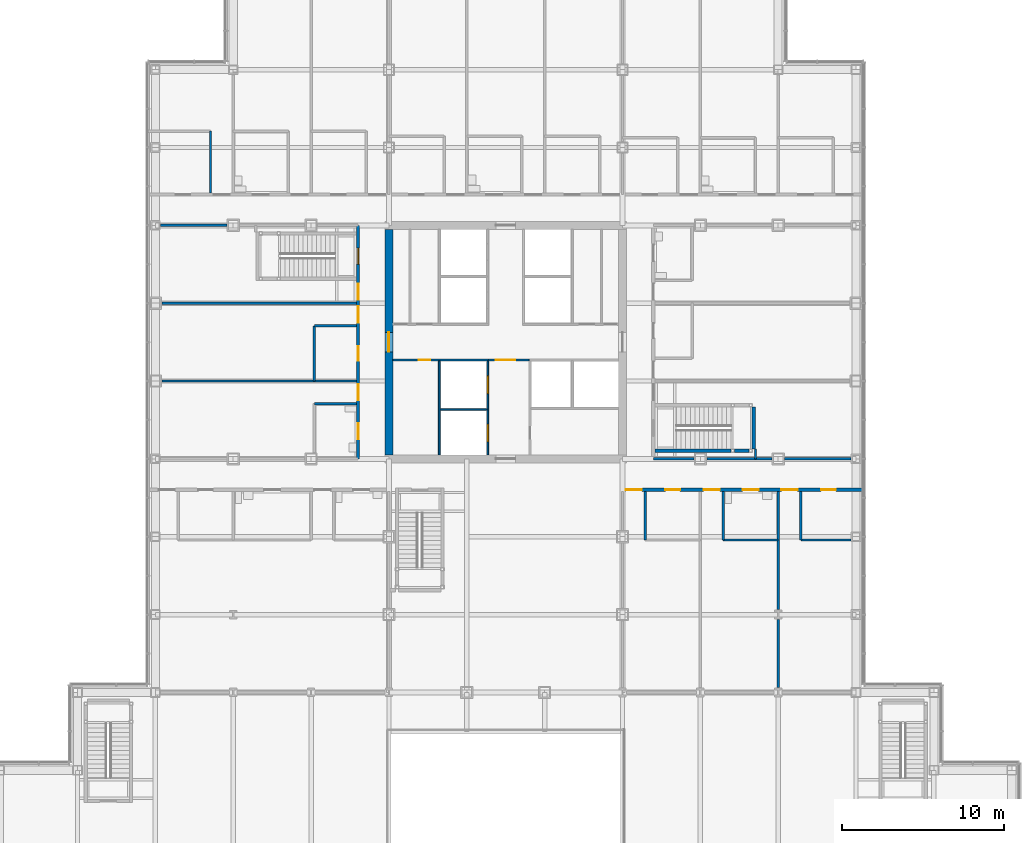
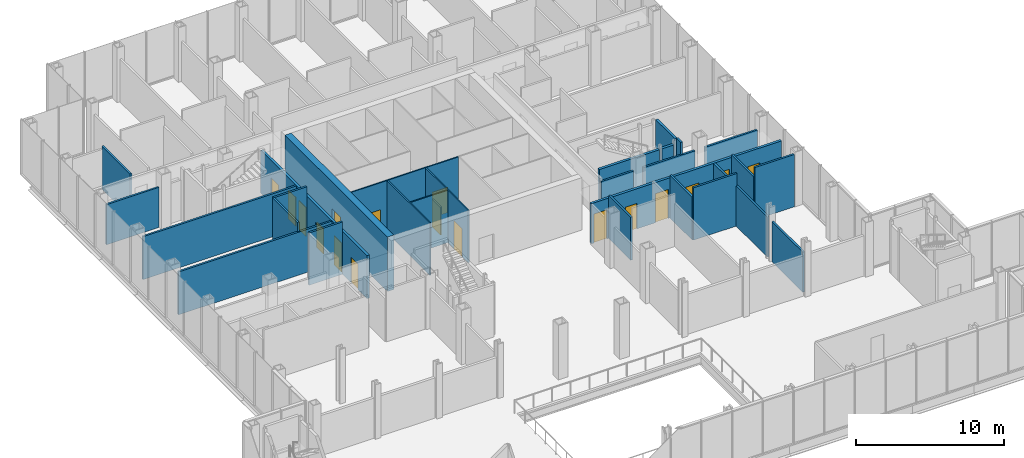
# One storey, part 21 of 26: 29 walls, 17 doors, 17 openings.
"""IFC4 building model written with IfcOpenShell, lengths in metres."""

from ifc_helpers import new_model, si_unit, direction, frame, frame_2d, origin, place, context, subcontext, project, spatial, rectangle, extrude, material, layer, layer_set, type_object, element, fill, save


model = new_model("IFC4")

# Units and contexts
model_context = context("Model", 3, precision=1e-05, world=origin(), true_north=direction((0.0, 1.0)))
body_context = subcontext(model_context, "Body", "Model", "MODEL_VIEW")
ifc_project = project(units=[si_unit("LENGTHUNIT", "METRE"), si_unit("AREAUNIT", "SQUARE_METRE"), si_unit("VOLUMEUNIT", "CUBIC_METRE"), si_unit("PLANEANGLEUNIT", "RADIAN"), si_unit("MASSUNIT", "GRAM", prefix="KILO")], contexts=[model_context])

# Site, building, storey
site_placement = place(None, origin())
site = spatial("IfcSite", under=ifc_project, at=site_placement, CompositionType="ELEMENT")
building_placement = place(site_placement, origin())
building = spatial("IfcBuilding", under=site, at=building_placement, Name="Kvirike Care Tower", CompositionType="ELEMENT")
storey_placement = place(building_placement, frame((0.0, 0.0, 18.0)))
storey = spatial("IfcBuildingStorey", under=building, at=storey_placement, Name="L04", CompositionType="ELEMENT", Elevation=18.0)

# Walls
ifc_material_1 = material(Name="Plasterboard partition", Category="gypsum")
ifc_layer_1 = layer(ifc_material_1, 0.14990234375)
ifc_layer_set_1 = layer_set([ifc_layer_1], Name="CLINIC PARTITION 150")
wall_type_1 = type_object("IfcWallType", Name="CLINIC PARTITION 150", PredefinedType="PARTITIONING", material=ifc_layer_set_1)
wall_1_placement = place(storey_placement, frame((9.800048828125, 37.0, 0.0), z_axis=(0.0, 0.0, 1.0), x_axis=(1.0, 0.0, 0.0)))
element("IfcWall", 1, at=wall_1_placement, inside=storey, type_object=wall_type_1, Name="Clinic Partition 150 L04", PredefinedType="PARTITIONING", context=body_context, shape_type="SweptSolid", body=[
    extrude(rectangle(XDim=2.599853515625, YDim=0.14990234375, at=frame_2d((1.2998046875, 0.0))), origin(), (0.0, 0.0, 1.0), 4.330078125),
])
wall_2_placement = place(storey_placement, frame((9.800048828125, 37.0, 0.0), z_axis=(0.0, 0.0, 1.0), x_axis=(0.0, -1.0, 0.0)))
element("IfcWall", 2, at=wall_2_placement, inside=storey, type_object=wall_type_1, Name="Clinic Partition 150 L04", PredefinedType="PARTITIONING", context=body_context, shape_type="SweptSolid", body=[
    extrude(rectangle(XDim=3.39990234375, YDim=0.14990234375, at=frame_2d((1.699951171875, 0.0))), origin(), (0.0, 0.0, 1.0), 4.330078125),
])
wall_3_placement = place(storey_placement, frame((9.800048828125, 32.199951171875, 0.0), z_axis=(0.0, 0.0, 1.0), x_axis=(1.0, 0.0, 0.0)))
element("IfcWall", 3, at=wall_3_placement, inside=storey, type_object=wall_type_1, Name="Clinic Partition 150 L04", PredefinedType="PARTITIONING", context=body_context, shape_type="SweptSolid", body=[
    extrude(rectangle(XDim=2.599853515625, YDim=0.14990234375, at=frame_2d((1.2998046875, 0.0))), origin(), (0.0, 0.0, 1.0), 4.330078125),
])
for number, where, z_axis, x_axis, name in (
    (4, (0.39501953125, 38.39990234375, 0.0), (0.0, 0.0, 1.0), (1.0, 0.0, 0.0), "Clinic Partition 150 L04"),
    (5, (0.39501953125, 33.60009765625, 0.0), (0.0, 0.0, 1.0), (1.0, 0.0, 0.0), "Clinic Partition 150 L04"),
):
    element("IfcWall", number, at=place(storey_placement, frame(where, z_axis=z_axis, x_axis=x_axis)), inside=storey, type_object=wall_type_1, Name=name, PredefinedType="PARTITIONING", context=body_context, shape_type="SweptSolid", body=[
        extrude(rectangle(XDim=12.0048828125, YDim=0.14990234375, at=frame_2d((6.00244140625, 0.0))), origin(), (0.0, 0.0, 1.0), 3.550048828125),
    ])
wall_4_placement = place(storey_placement, frame((3.39990234375, 49.0, 0.0), z_axis=(0.0, 0.0, 1.0), x_axis=(0.0, -1.0, 0.0)))
element("IfcWall", 6, at=wall_4_placement, inside=storey, type_object=wall_type_1, Name="Clinic Partition 150 L04", PredefinedType="PARTITIONING", context=body_context, shape_type="SweptSolid", body=[
    extrude(rectangle(XDim=3.800048828125, YDim=0.14990234375, at=frame_2d((1.89990234375, 0.0))), origin(), (0.0, 0.0, 1.0), 3.550048828125),
])
for number, where, z_axis, x_axis, name in (
    (7, (30.199951171875, 23.800048828125, 0.0), (0.0, 0.0, 1.0), (0.0, 1.0, 0.0), "Clinic Partition 150 L04"),
    (8, (35.0, 23.800048828125, 0.0), (0.0, 0.0, 1.0), (0.0, 1.0, 0.0), "Clinic Partition 150 L04"),
):
    element("IfcWall", number, at=place(storey_placement, frame(where, z_axis=z_axis, x_axis=x_axis)), inside=storey, type_object=wall_type_1, Name=name, PredefinedType="PARTITIONING", context=body_context, shape_type="SweptSolid", body=[
        extrude(rectangle(XDim=3.0, YDim=0.14990234375, at=frame_2d((1.5, 0.0))), origin(), (0.0, 0.0, 1.0), 3.550048828125),
    ])
wall_5_placement = place(storey_placement, frame((35.0, 23.800048828125, 0.0), z_axis=(0.0, 0.0, 1.0), x_axis=(1.0, 0.0, 0.0)))
element("IfcWall", 9, at=wall_5_placement, inside=storey, type_object=wall_type_1, Name="Clinic Partition 150 L04", PredefinedType="PARTITIONING", context=body_context, shape_type="SweptSolid", body=[
    extrude(rectangle(XDim=3.39990234375, YDim=0.14990234375, at=frame_2d((1.699951171875, 0.0))), origin(), (0.0, 0.0, 1.0), 4.330078125),
])
wall_6_placement = place(storey_placement, frame((39.800048828125, 23.800048828125, 0.0), z_axis=(0.0, 0.0, 1.0), x_axis=(0.0, 1.0, 0.0)))
element("IfcWall", 10, at=wall_6_placement, inside=storey, type_object=wall_type_1, Name="Clinic Partition 150 L04", PredefinedType="PARTITIONING", context=body_context, shape_type="SweptSolid", body=[
    extrude(rectangle(XDim=3.0, YDim=0.14990234375, at=frame_2d((1.5, 0.0))), origin(), (0.0, 0.0, 1.0), 3.550048828125),
])
wall_7_placement = place(storey_placement, frame((39.800048828125, 23.800048828125, 0.0), z_axis=(0.0, 0.0, 1.0), x_axis=(1.0, 0.0, 0.0)))
element("IfcWall", 11, at=wall_7_placement, inside=storey, type_object=wall_type_1, Name="Clinic Partition 150 L04", PredefinedType="PARTITIONING", context=body_context, shape_type="SweptSolid", body=[
    extrude(rectangle(XDim=3.079833984375, YDim=0.14990234375, at=frame_2d((1.5400390625, 0.0))), origin(), (0.0, 0.0, 1.0), 4.330078125),
])
wall_8_placement = place(storey_placement, frame((38.39990234375, 14.70458984375, 0.0), z_axis=(0.0, 0.0, 1.0), x_axis=(0.0, 1.0, 0.0)))
element("IfcWall", 12, at=wall_8_placement, inside=storey, type_object=wall_type_1, Name="Clinic Partition 150 L04", PredefinedType="PARTITIONING", context=body_context, shape_type="SweptSolid", body=[
    extrude(rectangle(XDim=4.19091796875, YDim=0.14990234375, at=frame_2d((2.095458984375, 0.0))), origin(), (0.0, 0.0, 1.0), 3.320068359375),
])
wall_9_placement = place(storey_placement, frame((38.39990234375, 19.50439453125, 0.0), z_axis=(0.0, 0.0, 1.0), x_axis=(0.0, 1.0, 0.0)))
element("IfcWall", 13, at=wall_9_placement, inside=storey, type_object=wall_type_1, Name="Clinic Partition 150 L04", PredefinedType="PARTITIONING", context=body_context, shape_type="SweptSolid", body=[
    extrude(rectangle(XDim=7.295654296875, YDim=0.14990234375, at=frame_2d((3.64794921875, 0.0))), origin(), (0.0, 0.0, 1.0), 3.320068359375),
])
wall_10_placement = place(storey_placement, frame((37.0, 28.800048828125, 0.0), z_axis=(0.0, 0.0, 1.0), x_axis=(0.0, 1.0, 0.0)))
element("IfcWall", 14, at=wall_10_placement, inside=storey, type_object=wall_type_1, Name="Clinic Partition 150 L04", PredefinedType="PARTITIONING", context=body_context, shape_type="SweptSolid", body=[
    extrude(rectangle(XDim=0.599853515625, YDim=0.14990234375, at=frame_2d((0.2998046875, 0.0))), origin(), (0.0, 0.0, 1.0), 4.330078125),
])
for number, where, z_axis, x_axis, name in (
    (15, (4.405029296875, 43.199951171875, 0.0), (0.0, 0.0, 1.0), (-1.0, 0.0, 0.0), "Clinic Partition 150 L04"),
    (16, (42.8798828125, 28.800048828125, 0.0), (0.0, 0.0, 1.0), (-1.0, 0.0, 0.0), "Clinic Partition 150 L04"),
):
    element("IfcWall", number, at=place(storey_placement, frame(where, z_axis=z_axis, x_axis=x_axis)), inside=storey, type_object=wall_type_1, Name=name, PredefinedType="PARTITIONING", context=body_context, shape_type="SweptSolid", body=[
        extrude(rectangle(XDim=4.0849609375, YDim=0.14990234375, at=frame_2d((2.04248046875, 0.0))), origin(), (0.0, 0.0, 1.0), 3.320068359375),
    ])
wall_11_placement = place(storey_placement, frame((38.0048828125, 28.800048828125, 0.0), z_axis=(0.0, 0.0, 1.0), x_axis=(-1.0, 0.0, 0.0)))
element("IfcWall", 17, at=wall_11_placement, inside=storey, type_object=wall_type_1, Name="Clinic Partition 150 L04", PredefinedType="PARTITIONING", context=body_context, shape_type="SweptSolid", body=[
    extrude(rectangle(XDim=4.009765625, YDim=0.14990234375, at=frame_2d((2.0048828125, 0.0))), origin(), (0.0, 0.0, 1.0), 3.320068359375),
])
wall_12_placement = place(storey_placement, frame((33.205078125, 28.800048828125, 0.0), z_axis=(0.0, 0.0, 1.0), x_axis=(-1.0, 0.0, 0.0)))
element("IfcWall", 18, at=wall_12_placement, inside=storey, type_object=wall_type_1, Name="Clinic Partition 150 L04", PredefinedType="PARTITIONING", context=body_context, shape_type="SweptSolid", body=[
    extrude(rectangle(XDim=2.505126953125, YDim=0.14990234375, at=frame_2d((1.25244140625, 0.0))), origin(), (0.0, 0.0, 1.0), 3.320068359375),
])

# Wall, opening, door
ifc_material_2 = material(Name="Concrete C60/75", Category="concrete")
ifc_layer_2 = layer(ifc_material_2, 0.5)
ifc_layer_set_2 = layer_set([ifc_layer_2], Name="CORE WALL 500 C60-75")
wall_type_2 = type_object("IfcWallType", Name="CORE WALL 500 C60-75", PredefinedType="SHEAR", material=ifc_layer_set_2)
wall_13_placement = place(storey_placement, frame((14.39990234375, 42.949951171875, -0.169921875), z_axis=(0.0, 0.0, 1.0), x_axis=(0.0, -1.0, 0.0)))
wall_13 = element("IfcWall", 19, at=wall_13_placement, inside=storey, type_object=wall_type_2, Name="Core wall W L04", PredefinedType="SHEAR", context=body_context, shape_type="SweptSolid", body=[
    extrude(rectangle(XDim=13.89990234375, YDim=0.5, at=frame_2d((6.949951171875, 0.0))), origin(), (0.0, 0.0, 1.0), 4.5),
])
opening_1_placement = place(wall_13_placement, frame((6.35009765625, 0.0, 0.169921875)))
opening_1 = element("IfcOpeningElement", 20, at=opening_1_placement, cuts=wall_13, Name="Opening 04-059", PredefinedType="OPENING", context=body_context, shape_type="SweptSolid", body=[
    extrude(rectangle(XDim=1.199951171875, YDim=2.10009765625, at=frame_2d((0.60009765625, 1.050048828125))), frame((0.0, 0.260498046875, 0.0), z_axis=(0.0, -1.0, 0.0), x_axis=(1.0, 0.0, 0.0)), (0.0, 0.0, 1.0), 0.52099609375),
])
ifc_material_3 = material(Name="Timber door set", Category="wood")
door_type_1 = type_object("IfcDoorType", Name="CORE DOOR 1200", OperationType="SINGLE_SWING_LEFT", PredefinedType="DOOR", material=ifc_material_3)
door_1_placement = place(opening_1_placement, origin())
door_1 = element("IfcDoor", 21, at=door_1_placement, inside=storey, type_object=door_type_1, Name="Core door W L04", OperationType="SINGLE_SWING_LEFT", OverallHeight=2.10009765625, OverallWidth=1.199951171875, PredefinedType="DOOR", context=body_context, shape_type="SweptSolid", body=[
    extrude(rectangle(XDim=1.199951171875, YDim=2.10009765625, at=frame_2d((0.60009765625, 1.050048828125))), frame((0.0, 0.02685546875, 0.0), z_axis=(0.0, -1.0, 0.0), x_axis=(1.0, 0.0, 0.0)), (0.0, 0.0, 1.0), 0.053955078125),
])
fill(opening_1, door_1)

# Wall, openings, doors
ifc_material_4 = material(Name="Plasterboard corridor wall", Category="gypsum")
ifc_layer_3 = layer(ifc_material_4, 0.199951171875)
ifc_layer_set_3 = layer_set([ifc_layer_3], Name="CORRIDOR WALL 200")
wall_type_3 = type_object("IfcWallType", Name="CORRIDOR WALL 200", PredefinedType="PARTITIONING", material=ifc_layer_set_3)
wall_14_placement = place(storey_placement, frame((12.5, 43.199951171875, 0.0), z_axis=(0.0, 0.0, 1.0), x_axis=(0.0, -1.0, 0.0)))
wall_14 = element("IfcWall", 22, at=wall_14_placement, inside=storey, type_object=wall_type_3, Name="Corridor Wall 200 L04", PredefinedType="PARTITIONING", context=body_context, shape_type="SweptSolid", body=[
    extrude(rectangle(XDim=14.39990234375, YDim=0.199951171875, at=frame_2d((7.199951171875, 0.0))), origin(), (0.0, 0.0, 1.0), 3.550048828125),
])
opening_2_placement = place(wall_14_placement, frame((1.39990234375, 0.0, 0.0)))
opening_2 = element("IfcOpeningElement", 23, at=opening_2_placement, cuts=wall_14, Name="Opening 04-006", PredefinedType="OPENING", context=body_context, shape_type="SweptSolid", body=[
    extrude(rectangle(XDim=1.0, YDim=2.10009765625, at=frame_2d((0.5, 1.050048828125))), frame((0.0, 0.110595703125, 0.0), z_axis=(0.0, -1.0, 0.0), x_axis=(1.0, 0.0, 0.0)), (0.0, 0.0, 1.0), 0.220947265625),
])
opening_3_placement = place(wall_14_placement, frame((3.60009765625, 0.0, 0.0)))
opening_3 = element("IfcOpeningElement", 24, at=opening_3_placement, cuts=wall_14, Name="Opening 04-007", PredefinedType="OPENING", context=body_context, shape_type="SweptSolid", body=[
    extrude(rectangle(XDim=1.0, YDim=2.39990234375, at=frame_2d((0.5, 1.199951171875))), frame((0.0, 0.110595703125, 0.0), z_axis=(0.0, -1.0, 0.0), x_axis=(1.0, 0.0, 0.0)), (0.0, 0.0, 1.0), 0.220947265625),
])
opening_4_placement = place(wall_14_placement, frame((5.0, 0.0, 0.0)))
opening_4 = element("IfcOpeningElement", 25, at=opening_4_placement, cuts=wall_14, Name="Opening 04-008", PredefinedType="OPENING", context=body_context, shape_type="SweptSolid", body=[
    extrude(rectangle(XDim=1.0, YDim=2.39990234375, at=frame_2d((0.5, 1.199951171875))), frame((0.0, 0.110595703125, 0.0), z_axis=(0.0, -1.0, 0.0), x_axis=(1.0, 0.0, 0.0)), (0.0, 0.0, 1.0), 0.220947265625),
])
opening_5_placement = place(wall_14_placement, frame((9.800048828125, 0.0, 0.0)))
opening_5 = element("IfcOpeningElement", 26, at=opening_5_placement, cuts=wall_14, Name="Opening 04-009", PredefinedType="OPENING", context=body_context, shape_type="SweptSolid", body=[
    extrude(rectangle(XDim=1.0, YDim=2.39990234375, at=frame_2d((0.5, 1.199951171875))), frame((0.0, 0.110595703125, 0.0), z_axis=(0.0, -1.0, 0.0), x_axis=(1.0, 0.0, 0.0)), (0.0, 0.0, 1.0), 0.220947265625),
])
opening_6_placement = place(wall_14_placement, frame((7.449951171875, 0.0, 0.0)))
opening_6 = element("IfcOpeningElement", 27, at=opening_6_placement, cuts=wall_14, Name="Opening 04-010", PredefinedType="OPENING", context=body_context, shape_type="SweptSolid", body=[
    extrude(rectangle(XDim=0.89990234375, YDim=2.10009765625, at=frame_2d((0.449951171875, 1.050048828125))), frame((0.0, 0.110595703125, 0.0), z_axis=(0.0, -1.0, 0.0), x_axis=(1.0, 0.0, 0.0)), (0.0, 0.0, 1.0), 0.220947265625),
])
opening_7_placement = place(wall_14_placement, frame((12.199951171875, 0.0, 0.0)))
opening_7 = element("IfcOpeningElement", 28, at=opening_7_placement, cuts=wall_14, Name="Opening 04-011", PredefinedType="OPENING", context=body_context, shape_type="SweptSolid", body=[
    extrude(rectangle(XDim=1.0, YDim=2.10009765625, at=frame_2d((0.5, 1.050048828125))), frame((0.0, 0.110595703125, 0.0), z_axis=(0.0, -1.0, 0.0), x_axis=(1.0, 0.0, 0.0)), (0.0, 0.0, 1.0), 0.220947265625),
])
ifc_material_5 = material(Name="Timber door set", Category="wood")
door_type_2 = type_object("IfcDoorType", Name="CONSULTING ROOM DOOR 1000", OperationType="SINGLE_SWING_LEFT", PredefinedType="DOOR", material=ifc_material_5)
door_2_placement = place(opening_3_placement, frame((1.0, 0.0, 0.0), z_axis=(0.0, 0.0, 1.0), x_axis=(-1.0, 0.0, 0.0)))
door_2 = element("IfcDoor", 29, at=door_2_placement, inside=storey, type_object=door_type_2, Name="Chapel door", OperationType="SINGLE_SWING_LEFT", OverallHeight=2.39990234375, OverallWidth=1.0, PredefinedType="DOOR", context=body_context, shape_type="SweptSolid", body=[
    extrude(rectangle(XDim=1.0, YDim=2.39990234375, at=frame_2d((0.5, 1.199951171875))), frame((0.0, 0.02685546875, 0.0), z_axis=(0.0, -1.0, 0.0), x_axis=(1.0, 0.0, 0.0)), (0.0, 0.0, 1.0), 0.053955078125),
])
fill(opening_3, door_2)
door_3_placement = place(opening_4_placement, frame((1.0, 0.0, 0.0), z_axis=(0.0, 0.0, 1.0), x_axis=(-1.0, 0.0, 0.0)))
door_3 = element("IfcDoor", 30, at=door_3_placement, inside=storey, type_object=door_type_2, Name="Chaplaincy room door", OperationType="SINGLE_SWING_LEFT", OverallHeight=2.39990234375, OverallWidth=1.0, PredefinedType="DOOR", context=body_context, shape_type="SweptSolid", body=[
    extrude(rectangle(XDim=1.0, YDim=2.39990234375, at=frame_2d((0.5, 1.199951171875))), frame((0.0, 0.02685546875, 0.0), z_axis=(0.0, -1.0, 0.0), x_axis=(1.0, 0.0, 0.0)), (0.0, 0.0, 1.0), 0.053955078125),
])
fill(opening_4, door_3)
door_4_placement = place(opening_5_placement, frame((1.0, 0.0, 0.0), z_axis=(0.0, 0.0, 1.0), x_axis=(-1.0, 0.0, 0.0)))
door_4 = element("IfcDoor", 31, at=door_4_placement, inside=storey, type_object=door_type_2, Name="Counselling room door", OperationType="SINGLE_SWING_LEFT", OverallHeight=2.39990234375, OverallWidth=1.0, PredefinedType="DOOR", context=body_context, shape_type="SweptSolid", body=[
    extrude(rectangle(XDim=1.0, YDim=2.39990234375, at=frame_2d((0.5, 1.199951171875))), frame((0.0, 0.02685546875, 0.0), z_axis=(0.0, -1.0, 0.0), x_axis=(1.0, 0.0, 0.0)), (0.0, 0.0, 1.0), 0.053955078125),
])
fill(opening_5, door_4)
ifc_material_6 = material(Name="Timber door set", Category="wood")
door_type_3 = type_object("IfcDoorType", Name="STAIR DOOR 1000", OperationType="SINGLE_SWING_LEFT", PredefinedType="DOOR", material=ifc_material_6)
door_5_placement = place(opening_2_placement, frame((1.0, 0.0, 0.0), z_axis=(0.0, 0.0, 1.0), x_axis=(-1.0, 0.0, 0.0)))
door_5 = element("IfcDoor", 32, at=door_5_placement, inside=storey, type_object=door_type_3, Name="Stair 1 door", OperationType="SINGLE_SWING_LEFT", OverallHeight=2.10009765625, OverallWidth=1.0, PredefinedType="DOOR", context=body_context, shape_type="SweptSolid", body=[
    extrude(rectangle(XDim=1.0, YDim=2.10009765625, at=frame_2d((0.5, 1.050048828125))), frame((0.0, 0.031982421875, 0.0), z_axis=(0.0, -1.0, 0.0), x_axis=(1.0, 0.0, 0.0)), (0.0, 0.0, 1.0), 0.06396484375),
])
fill(opening_2, door_5)
ifc_material_7 = material(Name="Timber door set", Category="wood")
door_type_4 = type_object("IfcDoorType", Name="STORE DOOR 900", OperationType="SINGLE_SWING_LEFT", PredefinedType="DOOR", material=ifc_material_7)
door_6_placement = place(opening_6_placement, frame((0.89990234375, 0.0, 0.0), z_axis=(0.0, 0.0, 1.0), x_axis=(-1.0, 0.0, 0.0)))
door_6 = element("IfcDoor", 33, at=door_6_placement, inside=storey, type_object=door_type_4, Name="Store door", OperationType="SINGLE_SWING_RIGHT", OverallHeight=2.10009765625, OverallWidth=0.89990234375, PredefinedType="DOOR", context=body_context, shape_type="SweptSolid", body=[
    extrude(rectangle(XDim=0.89990234375, YDim=2.10009765625, at=frame_2d((0.449951171875, 1.050048828125))), frame((0.0, 0.02685546875, 0.0), z_axis=(0.0, -1.0, 0.0), x_axis=(1.0, 0.0, 0.0)), (0.0, 0.0, 1.0), 0.053955078125),
])
fill(opening_6, door_6)
ifc_material_8 = material(Name="Timber door set", Category="wood")
door_type_5 = type_object("IfcDoorType", Name="WC DOOR 1000", OperationType="SINGLE_SWING_LEFT", PredefinedType="DOOR", material=ifc_material_8)
door_7_placement = place(opening_7_placement, frame((1.0, 0.0, 0.0), z_axis=(0.0, 0.0, 1.0), x_axis=(-1.0, 0.0, 0.0)))
door_7 = element("IfcDoor", 34, at=door_7_placement, inside=storey, type_object=door_type_5, Name="Staff WC door", OperationType="SINGLE_SWING_RIGHT", OverallHeight=2.10009765625, OverallWidth=1.0, PredefinedType="DOOR", context=body_context, shape_type="SweptSolid", body=[
    extrude(rectangle(XDim=1.0, YDim=2.10009765625, at=frame_2d((0.5, 1.050048828125))), frame((0.0, 0.02685546875, 0.0), z_axis=(0.0, -1.0, 0.0), x_axis=(1.0, 0.0, 0.0)), (0.0, 0.0, 1.0), 0.053955078125),
])
fill(opening_7, door_7)

wall_15_placement = place(storey_placement, frame((28.800048828125, 26.89990234375, 0.0), z_axis=(0.0, 0.0, 1.0), x_axis=(1.0, 0.0, 0.0)))
wall_15 = element("IfcWall", 35, at=wall_15_placement, inside=storey, type_object=wall_type_3, Name="Corridor Wall 200 L04", PredefinedType="PARTITIONING", context=body_context, shape_type="SweptSolid", body=[
    extrude(rectangle(XDim=14.85498046875, YDim=0.199951171875, at=frame_2d((7.427490234375, 0.0))), origin(), (0.0, 0.0, 1.0), 3.320068359375),
])
opening_8_placement = place(wall_15_placement, frame((0.199951171875, 0.0, 0.0)))
opening_8 = element("IfcOpeningElement", 36, at=opening_8_placement, cuts=wall_15, Name="Opening 04-025", PredefinedType="OPENING", context=body_context, shape_type="SweptSolid", body=[
    extrude(rectangle(XDim=1.0, YDim=2.39990234375, at=frame_2d((0.5, 1.199951171875))), frame((0.0, 0.110595703125, 0.0), z_axis=(0.0, -1.0, 0.0), x_axis=(1.0, 0.0, 0.0)), (0.0, 0.0, 1.0), 0.220947265625),
])
opening_9_placement = place(wall_15_placement, frame((5.0, 0.0, 0.0)))
opening_9 = element("IfcOpeningElement", 37, at=opening_9_placement, cuts=wall_15, Name="Opening 04-026", PredefinedType="OPENING", context=body_context, shape_type="SweptSolid", body=[
    extrude(rectangle(XDim=1.0, YDim=2.39990234375, at=frame_2d((0.5, 1.199951171875))), frame((0.0, 0.110595703125, 0.0), z_axis=(0.0, -1.0, 0.0), x_axis=(1.0, 0.0, 0.0)), (0.0, 0.0, 1.0), 0.220947265625),
])
opening_10_placement = place(wall_15_placement, frame((9.800048828125, 0.0, 0.0)))
opening_10 = element("IfcOpeningElement", 38, at=opening_10_placement, cuts=wall_15, Name="Opening 04-027", PredefinedType="OPENING", context=body_context, shape_type="SweptSolid", body=[
    extrude(rectangle(XDim=1.0, YDim=2.39990234375, at=frame_2d((0.5, 1.199951171875))), frame((0.0, 0.110595703125, 0.0), z_axis=(0.0, -1.0, 0.0), x_axis=(1.0, 0.0, 0.0)), (0.0, 0.0, 1.0), 0.220947265625),
])
opening_11_placement = place(wall_15_placement, frame((2.64990234375, 0.0, 0.0)))
opening_11 = element("IfcOpeningElement", 39, at=opening_11_placement, cuts=wall_15, Name="Opening 04-028", PredefinedType="OPENING", context=body_context, shape_type="SweptSolid", body=[
    extrude(rectangle(XDim=0.89990234375, YDim=2.10009765625, at=frame_2d((0.449951171875, 1.050048828125))), frame((0.0, 0.110595703125, 0.0), z_axis=(0.0, -1.0, 0.0), x_axis=(1.0, 0.0, 0.0)), (0.0, 0.0, 1.0), 0.220947265625),
])
opening_12_placement = place(wall_15_placement, frame((7.39990234375, 0.0, 0.0)))
opening_12 = element("IfcOpeningElement", 40, at=opening_12_placement, cuts=wall_15, Name="Opening 04-029", PredefinedType="OPENING", context=body_context, shape_type="SweptSolid", body=[
    extrude(rectangle(XDim=1.0, YDim=2.10009765625, at=frame_2d((0.5, 1.050048828125))), frame((0.0, 0.110595703125, 0.0), z_axis=(0.0, -1.0, 0.0), x_axis=(1.0, 0.0, 0.0)), (0.0, 0.0, 1.0), 0.220947265625),
])
opening_13_placement = place(wall_15_placement, frame((12.25, 0.0, 0.0)))
opening_13 = element("IfcOpeningElement", 41, at=opening_13_placement, cuts=wall_15, Name="Opening 04-030", PredefinedType="OPENING", context=body_context, shape_type="SweptSolid", body=[
    extrude(rectangle(XDim=0.89990234375, YDim=2.10009765625, at=frame_2d((0.449951171875, 1.050048828125))), frame((0.0, 0.110595703125, 0.0), z_axis=(0.0, -1.0, 0.0), x_axis=(1.0, 0.0, 0.0)), (0.0, 0.0, 1.0), 0.220947265625),
])
door_8_placement = place(opening_8_placement, frame((1.0, 0.0, 0.0), z_axis=(0.0, 0.0, 1.0), x_axis=(-1.0, 0.0, 0.0)))
door_8 = element("IfcDoor", 42, at=door_8_placement, inside=storey, type_object=door_type_2, Name="Hair and beauty salon door", OperationType="SINGLE_SWING_RIGHT", OverallHeight=2.39990234375, OverallWidth=1.0, PredefinedType="DOOR", context=body_context, shape_type="SweptSolid", body=[
    extrude(rectangle(XDim=1.0, YDim=2.39990234375, at=frame_2d((0.5, 1.199951171875))), frame((0.0, 0.02685546875, 0.0), z_axis=(0.0, -1.0, 0.0), x_axis=(1.0, 0.0, 0.0)), (0.0, 0.0, 1.0), 0.053955078125),
])
fill(opening_8, door_8)
door_9_placement = place(opening_9_placement, frame((1.0, 0.0, 0.0), z_axis=(0.0, 0.0, 1.0), x_axis=(-1.0, 0.0, 0.0)))
door_9 = element("IfcDoor", 43, at=door_9_placement, inside=storey, type_object=door_type_2, Name="Nail bar door", OperationType="SINGLE_SWING_RIGHT", OverallHeight=2.39990234375, OverallWidth=1.0, PredefinedType="DOOR", context=body_context, shape_type="SweptSolid", body=[
    extrude(rectangle(XDim=1.0, YDim=2.39990234375, at=frame_2d((0.5, 1.199951171875))), frame((0.0, 0.02685546875, 0.0), z_axis=(0.0, -1.0, 0.0), x_axis=(1.0, 0.0, 0.0)), (0.0, 0.0, 1.0), 0.053955078125),
])
fill(opening_9, door_9)
door_10_placement = place(opening_10_placement, frame((1.0, 0.0, 0.0), z_axis=(0.0, 0.0, 1.0), x_axis=(-1.0, 0.0, 0.0)))
door_10 = element("IfcDoor", 44, at=door_10_placement, inside=storey, type_object=door_type_2, Name="Spa treatment room door", OperationType="SINGLE_SWING_RIGHT", OverallHeight=2.39990234375, OverallWidth=1.0, PredefinedType="DOOR", context=body_context, shape_type="SweptSolid", body=[
    extrude(rectangle(XDim=1.0, YDim=2.39990234375, at=frame_2d((0.5, 1.199951171875))), frame((0.0, 0.02685546875, 0.0), z_axis=(0.0, -1.0, 0.0), x_axis=(1.0, 0.0, 0.0)), (0.0, 0.0, 1.0), 0.053955078125),
])
fill(opening_10, door_10)
door_11_placement = place(opening_11_placement, frame((0.89990234375, 0.0, 0.0), z_axis=(0.0, 0.0, 1.0), x_axis=(-1.0, 0.0, 0.0)))
door_11 = element("IfcDoor", 45, at=door_11_placement, inside=storey, type_object=door_type_4, Name="Store door", OperationType="SINGLE_SWING_RIGHT", OverallHeight=2.10009765625, OverallWidth=0.89990234375, PredefinedType="DOOR", context=body_context, shape_type="SweptSolid", body=[
    extrude(rectangle(XDim=0.89990234375, YDim=2.10009765625, at=frame_2d((0.449951171875, 1.050048828125))), frame((0.0, 0.02685546875, 0.0), z_axis=(0.0, -1.0, 0.0), x_axis=(1.0, 0.0, 0.0)), (0.0, 0.0, 1.0), 0.053955078125),
])
fill(opening_11, door_11)
door_12_placement = place(opening_13_placement, frame((0.89990234375, 0.0, 0.0), z_axis=(0.0, 0.0, 1.0), x_axis=(-1.0, 0.0, 0.0)))
door_12 = element("IfcDoor", 46, at=door_12_placement, inside=storey, type_object=door_type_4, Name="Store door", OperationType="SINGLE_SWING_LEFT", OverallHeight=2.10009765625, OverallWidth=0.89990234375, PredefinedType="DOOR", context=body_context, shape_type="SweptSolid", body=[
    extrude(rectangle(XDim=0.89990234375, YDim=2.10009765625, at=frame_2d((0.449951171875, 1.050048828125))), frame((0.0, 0.02685546875, 0.0), z_axis=(0.0, -1.0, 0.0), x_axis=(1.0, 0.0, 0.0)), (0.0, 0.0, 1.0), 0.053955078125),
])
fill(opening_13, door_12)
door_13_placement = place(opening_12_placement, frame((1.0, 0.0, 0.0), z_axis=(0.0, 0.0, 1.0), x_axis=(-1.0, 0.0, 0.0)))
door_13 = element("IfcDoor", 47, at=door_13_placement, inside=storey, type_object=door_type_5, Name="Accessible WC door", OperationType="SINGLE_SWING_RIGHT", OverallHeight=2.10009765625, OverallWidth=1.0, PredefinedType="DOOR", context=body_context, shape_type="SweptSolid", body=[
    extrude(rectangle(XDim=1.0, YDim=2.10009765625, at=frame_2d((0.5, 1.050048828125))), frame((0.0, 0.02685546875, 0.0), z_axis=(0.0, -1.0, 0.0), x_axis=(1.0, 0.0, 0.0)), (0.0, 0.0, 1.0), 0.053955078125),
])
fill(opening_12, door_13)

ifc_material_9 = material(Name="Gypsum shaft wall system", Category="gypsum")
ifc_layer_4 = layer(ifc_material_9, 0.10009765625)
ifc_layer_set_4 = layer_set([ifc_layer_4], Name="SHAFT WALL 100")
wall_type_4 = type_object("IfcWallType", Name="SHAFT WALL 100", PredefinedType="SOLIDWALL", material=ifc_layer_set_4)
wall_16_placement = place(storey_placement, frame((20.5, 29.050048828125, 0.0), z_axis=(0.0, 0.0, 1.0), x_axis=(0.0, 1.0, 0.0)))
wall_16 = element("IfcWall", 48, at=wall_16_placement, inside=storey, type_object=wall_type_4, Name="Shaft Wall 100 L04", PredefinedType="SOLIDWALL", context=body_context, shape_type="SweptSolid", body=[
    extrude(rectangle(XDim=5.800048828125, YDim=0.10009765625, at=frame_2d((2.89990234375, 0.0))), origin(), (0.0, 0.0, 1.0), 4.330078125),
])
opening_14_placement = place(wall_16_placement, frame((0.800048828125, 0.0, 0.0)))
opening_14 = element("IfcOpeningElement", 49, at=opening_14_placement, cuts=wall_16, Name="Opening 04-047", PredefinedType="OPENING", context=body_context, shape_type="SweptSolid", body=[
    extrude(rectangle(XDim=1.10009765625, YDim=2.300048828125, at=frame_2d((0.550048828125, 1.14990234375))), frame((0.0, 0.060546875, 0.0), z_axis=(0.0, -1.0, 0.0), x_axis=(1.0, 0.0, 0.0)), (0.0, 0.0, 1.0), 0.12109375),
])
opening_15_placement = place(wall_16_placement, frame((3.77490234375, 0.0, 0.0)))
opening_15 = element("IfcOpeningElement", 50, at=opening_15_placement, cuts=wall_16, Name="Opening 04-048", PredefinedType="OPENING", context=body_context, shape_type="SweptSolid", body=[
    extrude(rectangle(XDim=1.10009765625, YDim=2.300048828125, at=frame_2d((0.550048828125, 1.14990234375))), frame((0.0, 0.060546875, 0.0), z_axis=(0.0, -1.0, 0.0), x_axis=(1.0, 0.0, 0.0)), (0.0, 0.0, 1.0), 0.12109375),
])
ifc_material_10 = material(Name="Aluminium door frame", Category="aluminium")
door_type_6 = type_object("IfcDoorType", Name="FIRE-FIGHTING LIFT LANDING DOOR 1100", OperationType="SLIDING_TO_LEFT", PredefinedType="DOOR", material=ifc_material_10)
door_14_placement = place(opening_14_placement, origin())
door_14 = element("IfcDoor", 51, at=door_14_placement, inside=storey, type_object=door_type_6, Name="Lift FF1 landing door", OperationType="SLIDING_TO_LEFT", OverallHeight=2.300048828125, OverallWidth=1.10009765625, PredefinedType="DOOR", context=body_context, shape_type="SweptSolid", body=[
    extrude(rectangle(XDim=1.10009765625, YDim=2.300048828125, at=frame_2d((0.550048828125, 1.14990234375))), frame((0.0, 0.0498046875, 0.0), z_axis=(0.0, -1.0, 0.0), x_axis=(1.0, 0.0, 0.0)), (0.0, 0.0, 1.0), 0.099609375),
])
fill(opening_14, door_14)
door_15_placement = place(opening_15_placement, origin())
door_15 = element("IfcDoor", 52, at=door_15_placement, inside=storey, type_object=door_type_6, Name="Lift FF2 landing door", OperationType="SLIDING_TO_LEFT", OverallHeight=2.300048828125, OverallWidth=1.10009765625, PredefinedType="DOOR", context=body_context, shape_type="SweptSolid", body=[
    extrude(rectangle(XDim=1.10009765625, YDim=2.300048828125, at=frame_2d((0.550048828125, 1.14990234375))), frame((0.0, 0.0498046875, 0.0), z_axis=(0.0, -1.0, 0.0), x_axis=(1.0, 0.0, 0.0)), (0.0, 0.0, 1.0), 0.099609375),
])
fill(opening_15, door_15)

# Wall, opening, door
wall_17_placement = place(storey_placement, frame((14.64990234375, 34.89990234375, 0.0), z_axis=(0.0, 0.0, 1.0), x_axis=(1.0, 0.0, 0.0)))
wall_17 = element("IfcWall", 53, at=wall_17_placement, inside=storey, type_object=wall_type_4, Name="Shaft Wall 100 L04", PredefinedType="SOLIDWALL", context=body_context, shape_type="SweptSolid", body=[
    extrude(rectangle(XDim=5.900146484375, YDim=0.10009765625, at=frame_2d((2.9501953125, 0.0))), origin(), (0.0, 0.0, 1.0), 4.330078125),
])
opening_16_placement = place(wall_17_placement, frame((1.60009765625, 0.0, 0.0)))
opening_16 = element("IfcOpeningElement", 54, at=opening_16_placement, cuts=wall_17, Name="Opening 04-052", PredefinedType="OPENING", context=body_context, shape_type="SweptSolid", body=[
    extrude(rectangle(XDim=0.699951171875, YDim=2.10009765625, at=frame_2d((0.35009765625, 1.050048828125))), frame((0.0, 0.060546875, 0.0), z_axis=(0.0, -1.0, 0.0), x_axis=(1.0, 0.0, 0.0)), (0.0, 0.0, 1.0), 0.12109375),
])
ifc_material_11 = material(Name="Timber door set", Category="wood")
door_type_7 = type_object("IfcDoorType", Name="RISER DOOR 700", OperationType="SINGLE_SWING_LEFT", PredefinedType="DOOR", material=ifc_material_11)
door_16_placement = place(opening_16_placement, frame((0.699951171875, 0.0, 0.0), z_axis=(0.0, 0.0, 1.0), x_axis=(-1.0, 0.0, 0.0)))
door_16 = element("IfcDoor", 55, at=door_16_placement, inside=storey, type_object=door_type_7, Name="Riser door", OperationType="SINGLE_SWING_RIGHT", OverallHeight=2.10009765625, OverallWidth=0.699951171875, PredefinedType="DOOR", context=body_context, shape_type="SweptSolid", body=[
    extrude(rectangle(XDim=0.699951171875, YDim=2.10009765625, at=frame_2d((0.35009765625, 1.050048828125))), frame((0.0, 0.02685546875, 0.0), z_axis=(0.0, -1.0, 0.0), x_axis=(1.0, 0.0, 0.0)), (0.0, 0.0, 1.0), 0.053955078125),
])
fill(opening_16, door_16)

wall_18_placement = place(storey_placement, frame((20.550048828125, 34.89990234375, 0.0), z_axis=(0.0, 0.0, 1.0), x_axis=(1.0, 0.0, 0.0)))
wall_18 = element("IfcWall", 56, at=wall_18_placement, inside=storey, type_object=wall_type_4, Name="Shaft Wall 100 L04", PredefinedType="SOLIDWALL", context=body_context, shape_type="SweptSolid", body=[
    extrude(rectangle(XDim=2.5, YDim=0.10009765625, at=frame_2d((1.25, 0.0))), origin(), (0.0, 0.0, 1.0), 4.330078125),
])
opening_17_placement = place(wall_18_placement, frame((0.449951171875, 0.0, 0.0)))
opening_17 = element("IfcOpeningElement", 57, at=opening_17_placement, cuts=wall_18, Name="Opening 04-057", PredefinedType="OPENING", context=body_context, shape_type="SweptSolid", body=[
    extrude(rectangle(XDim=1.199951171875, YDim=2.10009765625, at=frame_2d((0.60009765625, 1.050048828125))), frame((0.0, 0.060546875, 0.0), z_axis=(0.0, -1.0, 0.0), x_axis=(1.0, 0.0, 0.0)), (0.0, 0.0, 1.0), 0.12109375),
])
door_17_placement = place(opening_17_placement, frame((1.199951171875, 0.0, 0.0), z_axis=(0.0, 0.0, 1.0), x_axis=(-1.0, 0.0, 0.0)))
door_17 = element("IfcDoor", 58, at=door_17_placement, inside=storey, type_object=door_type_1, Name="Fire-fighting lobby door", OperationType="SINGLE_SWING_LEFT", OverallHeight=2.10009765625, OverallWidth=1.199951171875, PredefinedType="DOOR", context=body_context, shape_type="SweptSolid", body=[
    extrude(rectangle(XDim=1.199951171875, YDim=2.10009765625, at=frame_2d((0.60009765625, 1.050048828125))), frame((0.0, 0.02685546875, 0.0), z_axis=(0.0, -1.0, 0.0), x_axis=(1.0, 0.0, 0.0)), (0.0, 0.0, 1.0), 0.053955078125),
])
fill(opening_17, door_17)

# Walls
wall_19_placement = place(storey_placement, frame((17.5, 29.050048828125, 0.0), z_axis=(0.0, 0.0, 1.0), x_axis=(0.0, 1.0, 0.0)))
element("IfcWall", 59, at=wall_19_placement, inside=storey, type_object=wall_type_4, Name="Shaft Wall 100 L04", PredefinedType="SOLIDWALL", context=body_context, shape_type="SweptSolid", body=[
    extrude(rectangle(XDim=5.800048828125, YDim=0.10009765625, at=frame_2d((2.89990234375, 0.0))), origin(), (0.0, 0.0, 1.0), 4.330078125),
])
wall_20_placement = place(storey_placement, frame((17.550048828125, 31.85009765625, 0.0), z_axis=(0.0, 0.0, 1.0), x_axis=(1.0, 0.0, 0.0)))
element("IfcWall", 60, at=wall_20_placement, inside=storey, type_object=wall_type_4, Name="Shaft Wall 100 L04", PredefinedType="SOLIDWALL", context=body_context, shape_type="SweptSolid", body=[
    extrude(rectangle(XDim=2.89990234375, YDim=0.10009765625, at=frame_2d((1.449951171875, 0.0))), origin(), (0.0, 0.0, 1.0), 4.330078125),
])
ifc_material_12 = material(Name="Concrete C40/50", Category="concrete")
ifc_layer_5 = layer(ifc_material_12, 0.199951171875)
ifc_layer_set_5 = layer_set([ifc_layer_5], Name="STAIR WALL 200")
wall_type_5 = type_object("IfcWallType", Name="STAIR WALL 200", PredefinedType="SOLIDWALL", material=ifc_layer_set_5)
wall_21_placement = place(storey_placement, frame((36.60009765625, 29.300048828125, 0.0), z_axis=(0.0, 0.0, 1.0), x_axis=(-1.0, 0.0, 0.0)))
element("IfcWall", 61, at=wall_21_placement, inside=storey, type_object=wall_type_5, Name="Stair Wall 200 L04", PredefinedType="SOLIDWALL", context=body_context, shape_type="SweptSolid", body=[
    extrude(rectangle(XDim=0.900146484375, YDim=0.199951171875, at=frame_2d((0.4501953125, 0.0))), origin(), (0.0, 0.0, 1.0), 3.989990234375),
])
wall_22_placement = place(storey_placement, frame((35.5, 29.300048828125, 0.0), z_axis=(0.0, 0.0, 1.0), x_axis=(-1.0, 0.0, 0.0)))
element("IfcWall", 62, at=wall_22_placement, inside=storey, type_object=wall_type_5, Name="Stair Wall 200 L04", PredefinedType="SOLIDWALL", context=body_context, shape_type="SweptSolid", body=[
    extrude(rectangle(XDim=4.699951171875, YDim=0.199951171875, at=frame_2d((2.35009765625, 0.0))), origin(), (0.0, 0.0, 1.0), 3.989990234375),
])
wall_23_placement = place(storey_placement, frame((36.89990234375, 29.39990234375, 0.0), z_axis=(0.0, 0.0, 1.0), x_axis=(0.0, 1.0, 0.0)))
element("IfcWall", 63, at=wall_23_placement, inside=storey, type_object=wall_type_5, Name="Stair Wall 200 L04", PredefinedType="SOLIDWALL", context=body_context, shape_type="SweptSolid", body=[
    extrude(rectangle(XDim=2.60009765625, YDim=0.199951171875, at=frame_2d((1.300048828125, 0.0))), origin(), (0.0, 0.0, 1.0), 4.330078125),
])

save(model, "model.ifc")
